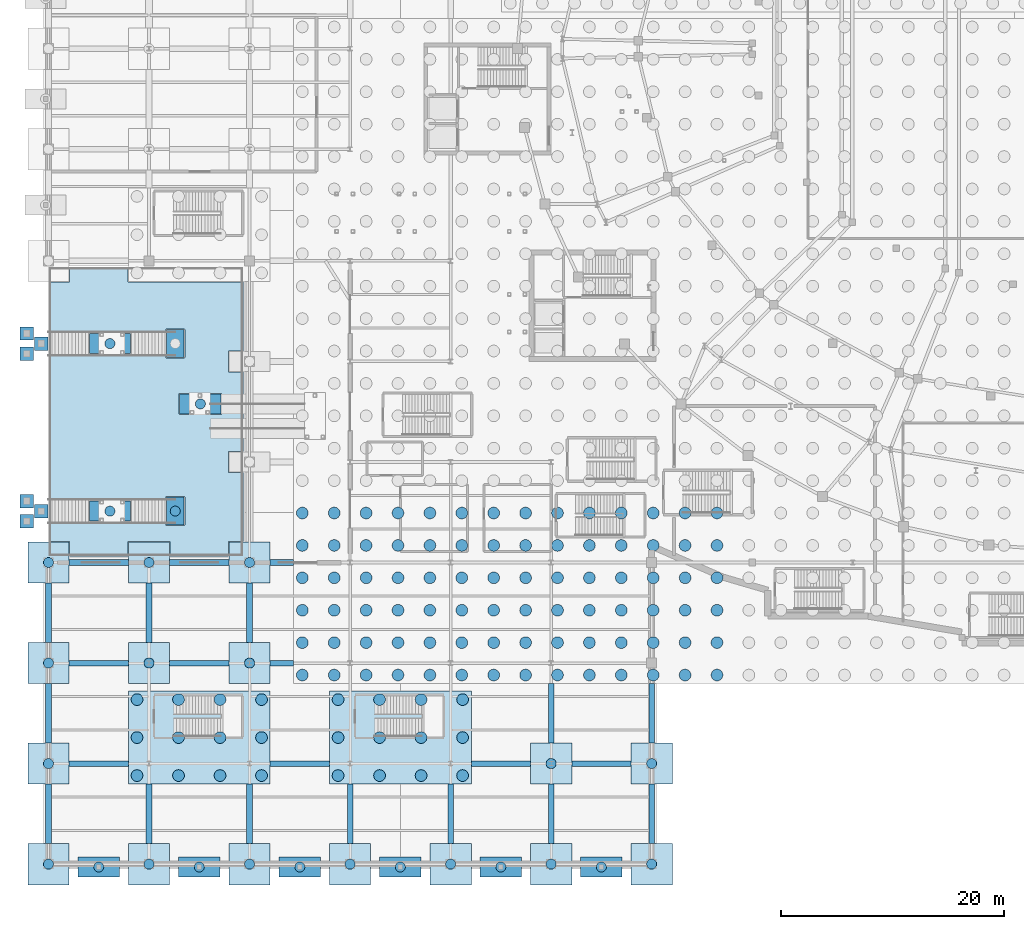
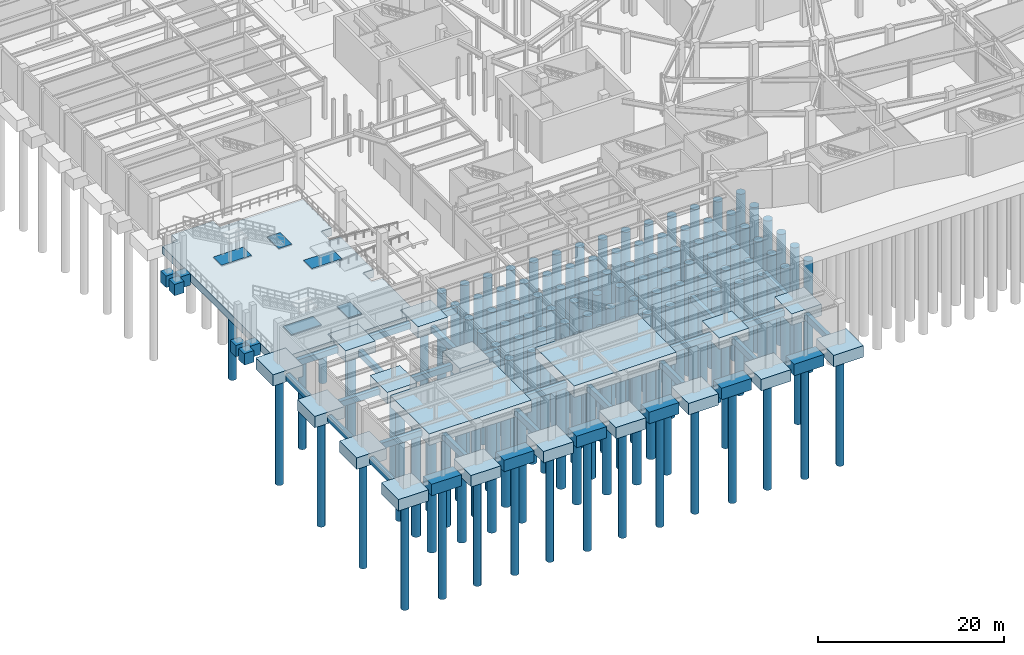
# One storey, part 1 of 56: 134 piles, 59 footings.
"""IFC4 building model written with IfcOpenShell, lengths in metres."""

from ifc_helpers import new_model, si_unit, direction, frame, origin, origin_2d, place, context, subcontext, project, spatial, polyline, rectangle, circle, outline, extrude, material, material_profile, profile_set, type_object, element, save


model = new_model("IFC4")

# Units and contexts
model_context = context("Model", 3, precision=1e-05, world=origin(), true_north=direction((0.0, 1.0)))
body_context = subcontext(model_context, "Body", "Model", "MODEL_VIEW")
ifc_project = project(units=[si_unit("LENGTHUNIT", "METRE"), si_unit("AREAUNIT", "SQUARE_METRE"), si_unit("VOLUMEUNIT", "CUBIC_METRE"), si_unit("PLANEANGLEUNIT", "RADIAN"), si_unit("MASSUNIT", "GRAM", prefix="KILO")], contexts=[model_context])

# Site, building, storey
site_placement = place(None, origin())
site = spatial("IfcSite", under=ifc_project, at=site_placement, CompositionType="ELEMENT")
building_placement = place(site_placement, origin())
building = spatial("IfcBuilding", under=site, at=building_placement, Name="Glasvene Arena", CompositionType="ELEMENT")
storey_placement = place(building_placement, frame((0.0, 0.0, -5.39990234375)))
storey = spatial("IfcBuildingStorey", under=building, at=storey_placement, Name="B1", CompositionType="ELEMENT", Elevation=-5.39990234375)

# Footings
ifc_material = material(Name="Concrete C40/50", Category="concrete")
footing_type_1 = type_object("IfcFootingType", Name="FT-FB-500x800", PredefinedType="FOOTING_BEAM", material=ifc_material)
for number, where, name in (
    (1, (0.0, 4.5, -1.25), "Ground tie beam 0001"),
    (2, (0.0, 13.5, -1.25), "Ground tie beam 0002"),
    (3, (0.0, 22.5, -1.25), "Ground tie beam 0003"),
    (4, (9.0, 4.5, -1.25), "Ground tie beam 0017"),
    (5, (9.0, 22.5, -1.25), "Ground tie beam 0018"),
    (6, (18.0, 4.5, -1.25), "Ground tie beam 0026"),
    (7, (18.0, 22.5, -1.25), "Ground tie beam 0027"),
    (8, (27.0, 4.5, -1.25), "Ground tie beam 0038"),
    (9, (36.0, 4.5, -1.25), "Ground tie beam 0044"),
    (10, (45.0, 4.5, -1.25), "Ground tie beam 0050"),
    (11, (45.0, 13.5, -1.25), "Ground tie beam 0051"),
    (12, (54.0, 4.5, -1.25), "Ground tie beam 0052"),
    (13, (54.0, 13.5, -1.25), "Ground tie beam 0053"),
):
    element("IfcFooting", number, at=place(storey_placement, frame(where)), inside=storey, type_object=footing_type_1, Name=name, PredefinedType="FOOTING_BEAM", context=body_context, shape_type="SweptSolid", body=[
        extrude(outline(polyline([(-0.25, -2.64990234375), (0.25, -2.64990234375), (0.25, 2.64990234375), (-0.25, 2.64990234375), (-0.25, -2.64990234375)])), origin(), (0.0, 0.0, 1.0), 0.7998046875),
    ])
for number, where, name in (
    (14, (4.5, 9.0, -1.25), "Ground tie beam 0080"),
    (15, (22.5, 9.0, -1.25), "Ground tie beam 0081"),
    (16, (40.5, 9.0, -1.25), "Ground tie beam 0082"),
    (17, (49.5, 9.0, -1.25), "Ground tie beam 0083"),
    (18, (4.5, 18.0, -1.25), "Ground tie beam 0084"),
    (19, (13.5, 18.0, -1.25), "Ground tie beam 0085"),
):
    element("IfcFooting", number, at=place(storey_placement, frame(where)), inside=storey, type_object=footing_type_1, Name=name, PredefinedType="FOOTING_BEAM", context=body_context, shape_type="SweptSolid", body=[
        extrude(outline(polyline([(-2.64990234375, -0.25), (2.64990234375, -0.25), (2.64990234375, 0.25), (-2.64990234375, 0.25), (-2.64990234375, -0.25)])), origin(), (0.0, 0.0, 1.0), 0.7998046875),
    ])
footing_1_placement = place(storey_placement, frame((20.89990234375, 18.0, -1.25)))
element("IfcFooting", 20, at=footing_1_placement, inside=storey, type_object=footing_type_1, Name="Ground tie beam 0086", PredefinedType="FOOTING_BEAM", context=body_context, shape_type="SweptSolid", body=[
    extrude(outline(polyline([(-1.0498046875, -0.25), (1.050048828125, -0.25), (1.050048828125, 0.25), (-1.0498046875, 0.25), (-1.0498046875, -0.25)])), origin(), (0.0, 0.0, 1.0), 0.7998046875),
])
for number, where, name in (
    (21, (4.5, 27.0, -1.25), "Ground tie beam 0087"),
    (22, (13.5, 27.0, -1.25), "Ground tie beam 0088"),
):
    element("IfcFooting", number, at=place(storey_placement, frame(where)), inside=storey, type_object=footing_type_1, Name=name, PredefinedType="FOOTING_BEAM", context=body_context, shape_type="SweptSolid", body=[
        extrude(outline(polyline([(-2.64990234375, -0.25), (2.64990234375, -0.25), (2.64990234375, 0.25), (-2.64990234375, 0.25), (-2.64990234375, -0.25)])), origin(), (0.0, 0.0, 1.0), 0.7998046875),
    ])
footing_2_placement = place(storey_placement, frame((20.89990234375, 27.0, -1.25)))
element("IfcFooting", 23, at=footing_2_placement, inside=storey, type_object=footing_type_1, Name="Ground tie beam 0089", PredefinedType="FOOTING_BEAM", context=body_context, shape_type="SweptSolid", body=[
    extrude(outline(polyline([(-1.0498046875, -0.25), (1.050048828125, -0.25), (1.050048828125, 0.25), (-1.0498046875, 0.25), (-1.0498046875, -0.25)])), origin(), (0.0, 0.0, 1.0), 0.7998046875),
])
footing_type_2 = type_object("IfcFootingType", Name="FT-PC-1270x835", PredefinedType="PILE_CAP", material=ifc_material)
for number, where, z_axis, x_axis, name in (
    (24, (13.5, 11.324951171875, -1.5), (0.0, 0.0, 1.0), (1.0, 0.0, 0.0), "Pile cap 015"),
    (25, (31.5, 11.324951171875, -1.5), (0.0, 0.0, 1.0), (1.0, 0.0, 0.0), "Pile cap 016"),
):
    element("IfcFooting", number, at=place(storey_placement, frame(where, z_axis=z_axis, x_axis=x_axis)), inside=storey, type_object=footing_type_2, Name=name, PredefinedType="PILE_CAP", context=body_context, shape_type="SweptSolid", body=[
        extrude(rectangle(XDim=12.699951171875, YDim=8.35009765625, at=origin_2d()), origin(), (0.0, 0.0, 1.0), 1.5),
    ])
footing_type_3 = type_object("IfcFootingType", Name="FT-PC-160x250", PredefinedType="PILE_CAP", material=ifc_material)
for number, where, z_axis, x_axis, name in (
    (26, (11.35009765625, 31.60009765625, -1.5), (0.0, 0.0, 1.0), (1.0, 0.0, 0.0), "Pile cap 027"),
    (27, (11.35009765625, 46.60009765625, -1.5), (0.0, 0.0, 1.0), (1.0, 0.0, 0.0), "Pile cap 032"),
):
    element("IfcFooting", number, at=place(storey_placement, frame(where, z_axis=z_axis, x_axis=x_axis)), inside=storey, type_object=footing_type_3, Name=name, PredefinedType="PILE_CAP", context=body_context, shape_type="SweptSolid", body=[
        extrude(rectangle(XDim=1.60009765625, YDim=2.5, at=origin_2d()), origin(), (0.0, 0.0, 1.0), 1.5),
    ])
footing_type_4 = type_object("IfcFootingType", Name="FT-PC-370x180", PredefinedType="PILE_CAP", material=ifc_material)
for number, where, z_axis, x_axis, name in (
    (28, (4.5, -0.260009765625, -1.5), (0.0, 0.0, 1.0), (1.0, 0.0, 0.0), "Pile cap 008"),
    (29, (13.5, -0.260009765625, -1.5), (0.0, 0.0, 1.0), (1.0, 0.0, 0.0), "Pile cap 009"),
    (30, (22.5, -0.260009765625, -1.5), (0.0, 0.0, 1.0), (1.0, 0.0, 0.0), "Pile cap 010"),
    (31, (31.5, -0.260009765625, -1.5), (0.0, 0.0, 1.0), (1.0, 0.0, 0.0), "Pile cap 011"),
    (32, (40.5, -0.260009765625, -1.5), (0.0, 0.0, 1.0), (1.0, 0.0, 0.0), "Pile cap 012"),
    (33, (49.5, -0.260009765625, -1.5), (0.0, 0.0, 1.0), (1.0, 0.0, 0.0), "Pile cap 013"),
    (34, (5.5, 31.60009765625, -1.5), (0.0, 0.0, 1.0), (1.0, 0.0, 0.0), "Pile cap 028"),
    (35, (13.60009765625, 41.199951171875, -1.5), (0.0, 0.0, 1.0), (1.0, 0.0, 0.0), "Pile cap 030"),
    (36, (5.5, 46.60009765625, -1.5), (0.0, 0.0, 1.0), (1.0, 0.0, 0.0), "Pile cap 033"),
):
    element("IfcFooting", number, at=place(storey_placement, frame(where, z_axis=z_axis, x_axis=x_axis)), inside=storey, type_object=footing_type_4, Name=name, PredefinedType="PILE_CAP", context=body_context, shape_type="SweptSolid", body=[
        extrude(rectangle(XDim=3.699951171875, YDim=1.800048828125, at=origin_2d()), origin(), (0.0, 0.0, 1.0), 1.5),
    ])
footing_type_5 = type_object("IfcFootingType", Name="FT-PC-370x370", PredefinedType="PILE_CAP", material=ifc_material)
for number, where, z_axis, x_axis, name in (
    (37, (0.0, 0.0, -1.5), (0.0, 0.0, 1.0), (1.0, 0.0, 0.0), "Pile cap 001"),
    (38, (9.0, 0.0, -1.5), (0.0, 0.0, 1.0), (1.0, 0.0, 0.0), "Pile cap 002"),
    (39, (18.0, 0.0, -1.5), (0.0, 0.0, 1.0), (1.0, 0.0, 0.0), "Pile cap 003"),
    (40, (27.0, 0.0, -1.5), (0.0, 0.0, 1.0), (1.0, 0.0, 0.0), "Pile cap 004"),
    (41, (36.0, 0.0, -1.5), (0.0, 0.0, 1.0), (1.0, 0.0, 0.0), "Pile cap 005"),
    (42, (45.0, 0.0, -1.5), (0.0, 0.0, 1.0), (1.0, 0.0, 0.0), "Pile cap 006"),
    (43, (54.0, 0.0, -1.5), (0.0, 0.0, 1.0), (1.0, 0.0, 0.0), "Pile cap 007"),
    (44, (0.0, 9.0, -1.5), (0.0, 0.0, 1.0), (1.0, 0.0, 0.0), "Pile cap 014"),
    (45, (45.0, 9.0, -1.5), (0.0, 0.0, 1.0), (1.0, 0.0, 0.0), "Pile cap 017"),
    (46, (54.0, 9.0, -1.5), (0.0, 0.0, 1.0), (1.0, 0.0, 0.0), "Pile cap 018"),
    (47, (0.0, 18.0, -1.5), (0.0, 0.0, 1.0), (1.0, 0.0, 0.0), "Pile cap 019"),
    (48, (9.0, 18.0, -1.5), (0.0, 0.0, 1.0), (1.0, 0.0, 0.0), "Pile cap 020"),
    (49, (18.0, 18.0, -1.5), (0.0, 0.0, 1.0), (1.0, 0.0, 0.0), "Pile cap 021"),
    (50, (0.0, 27.0, -1.5), (0.0, 0.0, 1.0), (1.0, 0.0, 0.0), "Pile cap 024"),
    (51, (9.0, 27.0, -1.5), (0.0, 0.0, 1.0), (1.0, 0.0, 0.0), "Pile cap 025"),
    (52, (18.0, 27.0, -1.5), (0.0, 0.0, 1.0), (1.0, 0.0, 0.0), "Pile cap 026"),
):
    element("IfcFooting", number, at=place(storey_placement, frame(where, z_axis=z_axis, x_axis=x_axis)), inside=storey, type_object=footing_type_5, Name=name, PredefinedType="PILE_CAP", context=body_context, shape_type="SweptSolid", body=[
        extrude(rectangle(XDim=3.699951171875, YDim=3.699951171875, at=origin_2d()), origin(), (0.0, 0.0, 1.0), 1.5),
    ])
footing_type_6 = type_object("IfcFootingType", Name="PF-PAD-1200", PredefinedType="PAD_FOOTING", material=ifc_material)
for number, where, z_axis, x_axis, name in (
    (53, (-1.949951171875, 30.699951171875, -1.5), (0.0, 0.0, 1.0), (1.0, 0.0, 0.0), "Metro threshold pier footing 1"),
    (54, (-1.949951171875, 32.5, -1.5), (0.0, 0.0, 1.0), (1.0, 0.0, 0.0), "Metro threshold pier footing 1"),
    (55, (-0.64990234375, 31.60009765625, -1.5), (0.0, 0.0, 1.0), (1.0, 0.0, 0.0), "Metro threshold pier footing 1"),
    (56, (-1.949951171875, 45.699951171875, -1.5), (0.0, 0.0, 1.0), (1.0, 0.0, 0.0), "Metro threshold pier footing 2"),
    (57, (-1.949951171875, 47.5, -1.5), (0.0, 0.0, 1.0), (1.0, 0.0, 0.0), "Metro threshold pier footing 2"),
    (58, (-0.64990234375, 46.60009765625, -1.5), (0.0, 0.0, 1.0), (1.0, 0.0, 0.0), "Metro threshold pier footing 2"),
):
    element("IfcFooting", number, at=place(storey_placement, frame(where, z_axis=z_axis, x_axis=x_axis)), inside=storey, type_object=footing_type_6, Name=name, PredefinedType="PAD_FOOTING", context=body_context, shape_type="SweptSolid", body=[
        extrude(rectangle(XDim=1.199951171875, YDim=1.199951171875, at=origin_2d()), origin(), (0.0, 0.0, 1.0), 1.5),
    ])
footing_type_7 = type_object("IfcFootingType", Name="PF-RAFT-METRO", PredefinedType="PAD_FOOTING", material=ifc_material)
footing_3_placement = place(storey_placement, frame((10.89208984375, 38.27978515625, -1.10009765625)))
element("IfcFooting", 59, at=footing_3_placement, inside=storey, type_object=footing_type_7, Name="Metro forecourt plaza raft foundation TR-B1-METRO", PredefinedType="PAD_FOOTING", context=body_context, shape_type="SweptSolid", body=[
    extrude(outline(polyline([(-3.7919921875, 15.170166015625), (-3.7919921875, 13.8701171875), (-3.788330078125, 13.85107421875), (-3.777587890625, 13.834716796875), (-3.76123046875, 13.823974609375), (-3.7421875, 13.8203125), (6.557861328125, 13.8203125), (6.557861328125, 7.670166015625), (5.2578125, 7.670166015625), (5.23876953125, 7.66650390625), (5.222412109375, 7.655517578125), (5.211669921875, 7.639404296875), (5.2080078125, 7.6201171875), (5.2080078125, 5.8203125), (5.211669921875, 5.801025390625), (5.222412109375, 5.784912109375), (5.23876953125, 5.77392578125), (5.2578125, 5.770263671875), (6.557861328125, 5.770263671875), (6.557861328125, -1.329833984375), (5.2578125, -1.329833984375), (5.23876953125, -1.33349609375), (5.222412109375, -1.344482421875), (5.211669921875, -1.360595703125), (5.2080078125, -1.3798828125), (5.2080078125, -3.1796875), (5.211669921875, -3.198974609375), (5.222412109375, -3.215087890625), (5.23876953125, -3.22607421875), (5.2578125, -3.229736328125), (6.557861328125, -3.229736328125), (6.557861328125, -9.3798828125), (5.2578125, -9.3798828125), (5.23876953125, -9.383544921875), (5.222412109375, -9.394287109375), (5.211669921875, -9.41064453125), (5.2080078125, -9.4296875), (5.2080078125, -10.729736328125), (0.0078125, -10.729736328125), (0.0078125, -9.4296875), (0.004150390625, -9.41064453125), (-0.006591796875, -9.394287109375), (-0.02294921875, -9.383544921875), (-0.0419921875, -9.3798828125), (-3.7421875, -9.3798828125), (-3.76123046875, -9.383544921875), (-3.777587890625, -9.394287109375), (-3.788330078125, -9.41064453125), (-3.7919921875, -9.4296875), (-3.7919921875, -10.729736328125), (-8.9921875, -10.729736328125), (-8.9921875, -9.4296875), (-8.995849609375, -9.41064453125), (-9.006591796875, -9.394287109375), (-9.02294921875, -9.383544921875), (-9.0419921875, -9.3798828125), (-10.89208984375, -9.3798828125), (-10.89208984375, 13.8203125), (-9.0419921875, 13.8203125), (-9.02294921875, 13.823974609375), (-9.006591796875, 13.834716796875), (-8.995849609375, 13.85107421875), (-8.9921875, 13.8701171875), (-8.9921875, 15.170166015625), (-3.7919921875, 15.170166015625)]), holes=[polyline([(0.85791015625, 3.8701171875), (0.8388671875, 3.866455078125), (0.822509765625, 3.855712890625), (0.811767578125, 3.83935546875), (0.807861328125, 3.8203125), (0.807861328125, 2.020263671875), (0.811767578125, 2.001220703125), (0.822509765625, 1.98486328125), (0.8388671875, 1.97412109375), (0.85791015625, 1.97021484375), (4.557861328125, 1.97021484375), (4.576904296875, 1.97412109375), (4.59326171875, 1.98486328125), (4.60400390625, 2.001220703125), (4.60791015625, 2.020263671875), (4.60791015625, 3.8203125), (4.60400390625, 3.83935546875), (4.59326171875, 3.855712890625), (4.576904296875, 3.866455078125), (4.557861328125, 3.8701171875), (0.85791015625, 3.8701171875)]), polyline([(-0.342041015625, -5.3798828125), (-0.361083984375, -5.383544921875), (-0.37744140625, -5.394287109375), (-0.38818359375, -5.41064453125), (-0.39208984375, -5.4296875), (-0.39208984375, -7.9296875), (-0.38818359375, -7.948974609375), (-0.37744140625, -7.965087890625), (-0.361083984375, -7.97607421875), (-0.342041015625, -7.979736328125), (1.2578125, -7.979736328125), (1.277099609375, -7.97607421875), (1.293212890625, -7.965087890625), (1.30419921875, -7.948974609375), (1.307861328125, -7.9296875), (1.307861328125, -5.4296875), (1.30419921875, -5.41064453125), (1.293212890625, -5.394287109375), (1.277099609375, -5.383544921875), (1.2578125, -5.3798828125), (-0.342041015625, -5.3798828125)]), polyline([(-0.39208984375, 7.0703125), (-0.38818359375, 7.051025390625), (-0.37744140625, 7.034912109375), (-0.361083984375, 7.02392578125), (-0.342041015625, 7.020263671875), (1.2578125, 7.020263671875), (1.277099609375, 7.02392578125), (1.293212890625, 7.034912109375), (1.30419921875, 7.051025390625), (1.307861328125, 7.0703125), (1.307861328125, 9.5703125), (1.30419921875, 9.58935546875), (1.293212890625, 9.605712890625), (1.277099609375, 9.616455078125), (1.2578125, 9.6201171875), (-0.342041015625, 9.6201171875), (-0.361083984375, 9.616455078125), (-0.37744140625, 9.605712890625), (-0.38818359375, 9.58935546875), (-0.39208984375, 9.5703125), (-0.39208984375, 7.0703125)]), polyline([(-7.2421875, -5.729736328125), (-7.26123046875, -5.733642578125), (-7.277587890625, -5.744384765625), (-7.288330078125, -5.7607421875), (-7.2919921875, -5.77978515625), (-7.2919921875, -7.579833984375), (-7.288330078125, -7.598876953125), (-7.277587890625, -7.615234375), (-7.26123046875, -7.6259765625), (-7.2421875, -7.6298828125), (-3.5419921875, -7.6298828125), (-3.52294921875, -7.6259765625), (-3.506591796875, -7.615234375), (-3.495849609375, -7.598876953125), (-3.4921875, -7.579833984375), (-3.4921875, -5.77978515625), (-3.495849609375, -5.7607421875), (-3.506591796875, -5.744384765625), (-3.52294921875, -5.733642578125), (-3.5419921875, -5.729736328125), (-7.2421875, -5.729736328125)]), polyline([(-7.2919921875, 7.420166015625), (-7.288330078125, 7.401123046875), (-7.277587890625, 7.384765625), (-7.26123046875, 7.3740234375), (-7.2421875, 7.3701171875), (-3.5419921875, 7.3701171875), (-3.52294921875, 7.3740234375), (-3.506591796875, 7.384765625), (-3.495849609375, 7.401123046875), (-3.4921875, 7.420166015625), (-3.4921875, 9.22021484375), (-3.495849609375, 9.2392578125), (-3.506591796875, 9.255615234375), (-3.52294921875, 9.266357421875), (-3.5419921875, 9.270263671875), (-7.2421875, 9.270263671875), (-7.26123046875, 9.266357421875), (-7.277587890625, 9.255615234375), (-7.288330078125, 9.2392578125), (-7.2919921875, 9.22021484375), (-7.2919921875, 7.420166015625)])]), origin(), (0.0, 0.0, 1.0), 1.0),
])

# Piles
ifc_material_profile_1 = material_profile(ifc_material, circle(Radius=0.52490234375, at=origin_2d()), Name="BORED PILE 1050")
ifc_profile_set_1 = profile_set([ifc_material_profile_1], Name="Concrete C40/50")
pile_type_1 = type_object("IfcPileType", Name="PL-BP1050", PredefinedType="BORED", material=ifc_profile_set_1)
for number, where, z_axis, x_axis, name in (
    (60, (7.925048828125, 7.925048828125, -1.35009765625), (0.0, 0.0, -1.0), (1.0, 0.0, 0.0), "Bored pile 0015"),
    (61, (7.925048828125, 11.324951171875, -1.35009765625), (0.0, 0.0, -1.0), (1.0, 0.0, 0.0), "Bored pile 0016"),
    (62, (7.925048828125, 14.72509765625, -1.35009765625), (0.0, 0.0, -1.0), (1.0, 0.0, 0.0), "Bored pile 0017"),
    (63, (11.6416015625, 7.925048828125, -1.35009765625), (0.0, 0.0, -1.0), (1.0, 0.0, 0.0), "Bored pile 0018"),
    (64, (11.6416015625, 11.324951171875, -1.35009765625), (0.0, 0.0, -1.0), (1.0, 0.0, 0.0), "Bored pile 0019"),
    (65, (11.6416015625, 14.72509765625, -1.35009765625), (0.0, 0.0, -1.0), (1.0, 0.0, 0.0), "Bored pile 0020"),
    (66, (15.3583984375, 7.925048828125, -1.35009765625), (0.0, 0.0, -1.0), (1.0, 0.0, 0.0), "Bored pile 0021"),
    (67, (15.3583984375, 11.324951171875, -1.35009765625), (0.0, 0.0, -1.0), (1.0, 0.0, 0.0), "Bored pile 0022"),
    (68, (15.3583984375, 14.72509765625, -1.35009765625), (0.0, 0.0, -1.0), (1.0, 0.0, 0.0), "Bored pile 0023"),
    (69, (19.074951171875, 7.925048828125, -1.35009765625), (0.0, 0.0, -1.0), (1.0, 0.0, 0.0), "Bored pile 0024"),
    (70, (19.074951171875, 11.324951171875, -1.35009765625), (0.0, 0.0, -1.0), (1.0, 0.0, 0.0), "Bored pile 0025"),
    (71, (19.074951171875, 14.72509765625, -1.35009765625), (0.0, 0.0, -1.0), (1.0, 0.0, 0.0), "Bored pile 0026"),
    (72, (25.925048828125, 7.925048828125, -1.35009765625), (0.0, 0.0, -1.0), (1.0, 0.0, 0.0), "Bored pile 0027"),
    (73, (25.925048828125, 11.324951171875, -1.35009765625), (0.0, 0.0, -1.0), (1.0, 0.0, 0.0), "Bored pile 0028"),
    (74, (25.925048828125, 14.72509765625, -1.35009765625), (0.0, 0.0, -1.0), (1.0, 0.0, 0.0), "Bored pile 0029"),
    (75, (29.6416015625, 7.925048828125, -1.35009765625), (0.0, 0.0, -1.0), (1.0, 0.0, 0.0), "Bored pile 0030"),
    (76, (29.6416015625, 11.324951171875, -1.35009765625), (0.0, 0.0, -1.0), (1.0, 0.0, 0.0), "Bored pile 0031"),
    (77, (29.6416015625, 14.72509765625, -1.35009765625), (0.0, 0.0, -1.0), (1.0, 0.0, 0.0), "Bored pile 0032"),
    (78, (33.3583984375, 7.925048828125, -1.35009765625), (0.0, 0.0, -1.0), (1.0, 0.0, 0.0), "Bored pile 0033"),
    (79, (33.3583984375, 11.324951171875, -1.35009765625), (0.0, 0.0, -1.0), (1.0, 0.0, 0.0), "Bored pile 0034"),
    (80, (33.3583984375, 14.72509765625, -1.35009765625), (0.0, 0.0, -1.0), (1.0, 0.0, 0.0), "Bored pile 0035"),
    (81, (37.074951171875, 7.925048828125, -1.35009765625), (0.0, 0.0, -1.0), (1.0, 0.0, 0.0), "Bored pile 0036"),
    (82, (37.074951171875, 11.324951171875, -1.35009765625), (0.0, 0.0, -1.0), (1.0, 0.0, 0.0), "Bored pile 0037"),
    (83, (37.074951171875, 14.72509765625, -1.35009765625), (0.0, 0.0, -1.0), (1.0, 0.0, 0.0), "Bored pile 0038"),
    (84, (22.72509765625, 16.925048828125, -1.35009765625), (0.0, 0.0, -1.0), (1.0, 0.0, 0.0), "Bored pile 0044"),
    (85, (22.72509765625, 19.826171875, -1.35009765625), (0.0, 0.0, -1.0), (1.0, 0.0, 0.0), "Bored pile 0045"),
    (86, (22.72509765625, 22.727294921875, -1.35009765625), (0.0, 0.0, -1.0), (1.0, 0.0, 0.0), "Bored pile 0046"),
    (87, (22.72509765625, 25.628662109375, -1.35009765625), (0.0, 0.0, -1.0), (1.0, 0.0, 0.0), "Bored pile 0047"),
    (88, (22.72509765625, 28.52978515625, -1.35009765625), (0.0, 0.0, -1.0), (1.0, 0.0, 0.0), "Bored pile 0048"),
    (89, (22.72509765625, 31.430908203125, -1.35009765625), (0.0, 0.0, -1.0), (1.0, 0.0, 0.0), "Bored pile 0049"),
    (90, (25.580810546875, 16.925048828125, -1.35009765625), (0.0, 0.0, -1.0), (1.0, 0.0, 0.0), "Bored pile 0065"),
    (91, (25.580810546875, 19.826171875, -1.35009765625), (0.0, 0.0, -1.0), (1.0, 0.0, 0.0), "Bored pile 0066"),
    (92, (25.580810546875, 22.727294921875, -1.35009765625), (0.0, 0.0, -1.0), (1.0, 0.0, 0.0), "Bored pile 0067"),
    (93, (25.580810546875, 25.628662109375, -1.35009765625), (0.0, 0.0, -1.0), (1.0, 0.0, 0.0), "Bored pile 0068"),
    (94, (25.580810546875, 28.52978515625, -1.35009765625), (0.0, 0.0, -1.0), (1.0, 0.0, 0.0), "Bored pile 0069"),
    (95, (25.580810546875, 31.430908203125, -1.35009765625), (0.0, 0.0, -1.0), (1.0, 0.0, 0.0), "Bored pile 0070"),
    (96, (28.4365234375, 16.925048828125, -1.35009765625), (0.0, 0.0, -1.0), (1.0, 0.0, 0.0), "Bored pile 0086"),
    (97, (28.4365234375, 19.826171875, -1.35009765625), (0.0, 0.0, -1.0), (1.0, 0.0, 0.0), "Bored pile 0087"),
    (98, (28.4365234375, 22.727294921875, -1.35009765625), (0.0, 0.0, -1.0), (1.0, 0.0, 0.0), "Bored pile 0088"),
    (99, (28.4365234375, 25.628662109375, -1.35009765625), (0.0, 0.0, -1.0), (1.0, 0.0, 0.0), "Bored pile 0089"),
    (100, (28.4365234375, 28.52978515625, -1.35009765625), (0.0, 0.0, -1.0), (1.0, 0.0, 0.0), "Bored pile 0090"),
    (101, (28.4365234375, 31.430908203125, -1.35009765625), (0.0, 0.0, -1.0), (1.0, 0.0, 0.0), "Bored pile 0091"),
    (102, (31.292236328125, 16.925048828125, -1.35009765625), (0.0, 0.0, -1.0), (1.0, 0.0, 0.0), "Bored pile 0107"),
    (103, (31.292236328125, 19.826171875, -1.35009765625), (0.0, 0.0, -1.0), (1.0, 0.0, 0.0), "Bored pile 0108"),
    (104, (31.292236328125, 22.727294921875, -1.35009765625), (0.0, 0.0, -1.0), (1.0, 0.0, 0.0), "Bored pile 0109"),
    (105, (31.292236328125, 25.628662109375, -1.35009765625), (0.0, 0.0, -1.0), (1.0, 0.0, 0.0), "Bored pile 0110"),
    (106, (31.292236328125, 28.52978515625, -1.35009765625), (0.0, 0.0, -1.0), (1.0, 0.0, 0.0), "Bored pile 0111"),
    (107, (31.292236328125, 31.430908203125, -1.35009765625), (0.0, 0.0, -1.0), (1.0, 0.0, 0.0), "Bored pile 0112"),
    (108, (34.14794921875, 16.925048828125, -1.35009765625), (0.0, 0.0, -1.0), (1.0, 0.0, 0.0), "Bored pile 0128"),
    (109, (34.14794921875, 19.826171875, -1.35009765625), (0.0, 0.0, -1.0), (1.0, 0.0, 0.0), "Bored pile 0129"),
    (110, (34.14794921875, 22.727294921875, -1.35009765625), (0.0, 0.0, -1.0), (1.0, 0.0, 0.0), "Bored pile 0130"),
    (111, (34.14794921875, 25.628662109375, -1.35009765625), (0.0, 0.0, -1.0), (1.0, 0.0, 0.0), "Bored pile 0131"),
    (112, (34.14794921875, 28.52978515625, -1.35009765625), (0.0, 0.0, -1.0), (1.0, 0.0, 0.0), "Bored pile 0132"),
    (113, (34.14794921875, 31.430908203125, -1.35009765625), (0.0, 0.0, -1.0), (1.0, 0.0, 0.0), "Bored pile 0133"),
    (114, (37.00390625, 16.925048828125, -1.35009765625), (0.0, 0.0, -1.0), (1.0, 0.0, 0.0), "Bored pile 0149"),
    (115, (37.00390625, 19.826171875, -1.35009765625), (0.0, 0.0, -1.0), (1.0, 0.0, 0.0), "Bored pile 0150"),
    (116, (37.00390625, 22.727294921875, -1.35009765625), (0.0, 0.0, -1.0), (1.0, 0.0, 0.0), "Bored pile 0151"),
    (117, (37.00390625, 25.628662109375, -1.35009765625), (0.0, 0.0, -1.0), (1.0, 0.0, 0.0), "Bored pile 0152"),
    (118, (37.00390625, 28.52978515625, -1.35009765625), (0.0, 0.0, -1.0), (1.0, 0.0, 0.0), "Bored pile 0153"),
    (119, (37.00390625, 31.430908203125, -1.35009765625), (0.0, 0.0, -1.0), (1.0, 0.0, 0.0), "Bored pile 0154"),
    (120, (39.859619140625, 16.925048828125, -1.35009765625), (0.0, 0.0, -1.0), (1.0, 0.0, 0.0), "Bored pile 0170"),
    (121, (39.859619140625, 19.826171875, -1.35009765625), (0.0, 0.0, -1.0), (1.0, 0.0, 0.0), "Bored pile 0171"),
    (122, (39.859619140625, 22.727294921875, -1.35009765625), (0.0, 0.0, -1.0), (1.0, 0.0, 0.0), "Bored pile 0172"),
    (123, (39.859619140625, 25.628662109375, -1.35009765625), (0.0, 0.0, -1.0), (1.0, 0.0, 0.0), "Bored pile 0173"),
    (124, (39.859619140625, 28.52978515625, -1.35009765625), (0.0, 0.0, -1.0), (1.0, 0.0, 0.0), "Bored pile 0174"),
    (125, (39.859619140625, 31.430908203125, -1.35009765625), (0.0, 0.0, -1.0), (1.0, 0.0, 0.0), "Bored pile 0175"),
    (126, (42.71533203125, 16.925048828125, -1.35009765625), (0.0, 0.0, -1.0), (1.0, 0.0, 0.0), "Bored pile 0191"),
    (127, (42.71533203125, 19.826171875, -1.35009765625), (0.0, 0.0, -1.0), (1.0, 0.0, 0.0), "Bored pile 0192"),
    (128, (42.71533203125, 22.727294921875, -1.35009765625), (0.0, 0.0, -1.0), (1.0, 0.0, 0.0), "Bored pile 0193"),
    (129, (42.71533203125, 25.628662109375, -1.35009765625), (0.0, 0.0, -1.0), (1.0, 0.0, 0.0), "Bored pile 0194"),
    (130, (42.71533203125, 28.52978515625, -1.35009765625), (0.0, 0.0, -1.0), (1.0, 0.0, 0.0), "Bored pile 0195"),
    (131, (42.71533203125, 31.430908203125, -1.35009765625), (0.0, 0.0, -1.0), (1.0, 0.0, 0.0), "Bored pile 0196"),
    (132, (45.571044921875, 16.925048828125, -1.35009765625), (0.0, 0.0, -1.0), (1.0, 0.0, 0.0), "Bored pile 0212"),
    (133, (45.571044921875, 19.826171875, -1.35009765625), (0.0, 0.0, -1.0), (1.0, 0.0, 0.0), "Bored pile 0213"),
    (134, (45.571044921875, 22.727294921875, -1.35009765625), (0.0, 0.0, -1.0), (1.0, 0.0, 0.0), "Bored pile 0214"),
    (135, (45.571044921875, 25.628662109375, -1.35009765625), (0.0, 0.0, -1.0), (1.0, 0.0, 0.0), "Bored pile 0215"),
    (136, (45.571044921875, 28.52978515625, -1.35009765625), (0.0, 0.0, -1.0), (1.0, 0.0, 0.0), "Bored pile 0216"),
    (137, (45.571044921875, 31.430908203125, -1.35009765625), (0.0, 0.0, -1.0), (1.0, 0.0, 0.0), "Bored pile 0217"),
    (138, (48.4267578125, 16.925048828125, -1.35009765625), (0.0, 0.0, -1.0), (1.0, 0.0, 0.0), "Bored pile 0233"),
    (139, (48.4267578125, 19.826171875, -1.35009765625), (0.0, 0.0, -1.0), (1.0, 0.0, 0.0), "Bored pile 0234"),
    (140, (48.4267578125, 22.727294921875, -1.35009765625), (0.0, 0.0, -1.0), (1.0, 0.0, 0.0), "Bored pile 0235"),
    (141, (48.4267578125, 25.628662109375, -1.35009765625), (0.0, 0.0, -1.0), (1.0, 0.0, 0.0), "Bored pile 0236"),
    (142, (48.4267578125, 28.52978515625, -1.35009765625), (0.0, 0.0, -1.0), (1.0, 0.0, 0.0), "Bored pile 0237"),
    (143, (48.4267578125, 31.430908203125, -1.35009765625), (0.0, 0.0, -1.0), (1.0, 0.0, 0.0), "Bored pile 0238"),
    (144, (51.28271484375, 16.925048828125, -1.35009765625), (0.0, 0.0, -1.0), (1.0, 0.0, 0.0), "Bored pile 0254"),
    (145, (51.28271484375, 19.826171875, -1.35009765625), (0.0, 0.0, -1.0), (1.0, 0.0, 0.0), "Bored pile 0255"),
    (146, (51.28271484375, 22.727294921875, -1.35009765625), (0.0, 0.0, -1.0), (1.0, 0.0, 0.0), "Bored pile 0256"),
    (147, (51.28271484375, 25.628662109375, -1.35009765625), (0.0, 0.0, -1.0), (1.0, 0.0, 0.0), "Bored pile 0257"),
    (148, (51.28271484375, 28.52978515625, -1.35009765625), (0.0, 0.0, -1.0), (1.0, 0.0, 0.0), "Bored pile 0258"),
    (149, (51.28271484375, 31.430908203125, -1.35009765625), (0.0, 0.0, -1.0), (1.0, 0.0, 0.0), "Bored pile 0259"),
    (150, (54.138427734375, 16.925048828125, -1.35009765625), (0.0, 0.0, -1.0), (1.0, 0.0, 0.0), "Bored pile 0275"),
    (151, (54.138427734375, 19.826171875, -1.35009765625), (0.0, 0.0, -1.0), (1.0, 0.0, 0.0), "Bored pile 0276"),
    (152, (54.138427734375, 22.727294921875, -1.35009765625), (0.0, 0.0, -1.0), (1.0, 0.0, 0.0), "Bored pile 0277"),
    (153, (54.138427734375, 25.628662109375, -1.35009765625), (0.0, 0.0, -1.0), (1.0, 0.0, 0.0), "Bored pile 0278"),
    (154, (54.138427734375, 28.52978515625, -1.35009765625), (0.0, 0.0, -1.0), (1.0, 0.0, 0.0), "Bored pile 0279"),
    (155, (54.138427734375, 31.430908203125, -1.35009765625), (0.0, 0.0, -1.0), (1.0, 0.0, 0.0), "Bored pile 0280"),
    (156, (56.994140625, 16.925048828125, -1.35009765625), (0.0, 0.0, -1.0), (1.0, 0.0, 0.0), "Bored pile 0296"),
    (157, (56.994140625, 19.826171875, -1.35009765625), (0.0, 0.0, -1.0), (1.0, 0.0, 0.0), "Bored pile 0297"),
    (158, (56.994140625, 22.727294921875, -1.35009765625), (0.0, 0.0, -1.0), (1.0, 0.0, 0.0), "Bored pile 0298"),
    (159, (56.994140625, 25.628662109375, -1.35009765625), (0.0, 0.0, -1.0), (1.0, 0.0, 0.0), "Bored pile 0299"),
    (160, (56.994140625, 28.52978515625, -1.35009765625), (0.0, 0.0, -1.0), (1.0, 0.0, 0.0), "Bored pile 0300"),
    (161, (56.994140625, 31.430908203125, -1.35009765625), (0.0, 0.0, -1.0), (1.0, 0.0, 0.0), "Bored pile 0301"),
    (162, (59.849853515625, 16.925048828125, -1.35009765625), (0.0, 0.0, -1.0), (1.0, 0.0, 0.0), "Bored pile 0317"),
    (163, (59.849853515625, 19.826171875, -1.35009765625), (0.0, 0.0, -1.0), (1.0, 0.0, 0.0), "Bored pile 0318"),
    (164, (59.849853515625, 22.727294921875, -1.35009765625), (0.0, 0.0, -1.0), (1.0, 0.0, 0.0), "Bored pile 0319"),
    (165, (59.849853515625, 25.628662109375, -1.35009765625), (0.0, 0.0, -1.0), (1.0, 0.0, 0.0), "Bored pile 0320"),
    (166, (59.849853515625, 28.52978515625, -1.35009765625), (0.0, 0.0, -1.0), (1.0, 0.0, 0.0), "Bored pile 0321"),
    (167, (59.849853515625, 31.430908203125, -1.35009765625), (0.0, 0.0, -1.0), (1.0, 0.0, 0.0), "Bored pile 0322"),
):
    element("IfcPile", number, at=place(storey_placement, frame(where, z_axis=z_axis, x_axis=x_axis)), inside=storey, type_object=pile_type_1, Name=name, PredefinedType="BORED", context=body_context, shape_type="SweptSolid", body=[
        extrude(circle(Radius=0.52490234375, at=origin_2d()), origin(), (0.0, 0.0, 1.0), 14.64990234375),
    ])
ifc_material_profile_2 = material_profile(ifc_material, circle(Radius=0.449951171875, at=origin_2d()), Name="BORED PILE 900")
ifc_profile_set_2 = profile_set([ifc_material_profile_2], Name="Concrete C40/50")
pile_type_2 = type_object("IfcPileType", Name="PL-BP900", PredefinedType="BORED", material=ifc_profile_set_2)
for number, where, z_axis, x_axis, name in (
    (168, (0.0, 0.0, -1.35009765625), (0.0, 0.0, -1.0), (1.0, 0.0, 0.0), "Bored pile 0001"),
    (169, (9.0, 0.0, -1.35009765625), (0.0, 0.0, -1.0), (1.0, 0.0, 0.0), "Bored pile 0002"),
    (170, (18.0, 0.0, -1.35009765625), (0.0, 0.0, -1.0), (1.0, 0.0, 0.0), "Bored pile 0003"),
    (171, (27.0, 0.0, -1.35009765625), (0.0, 0.0, -1.0), (1.0, 0.0, 0.0), "Bored pile 0004"),
    (172, (36.0, 0.0, -1.35009765625), (0.0, 0.0, -1.0), (1.0, 0.0, 0.0), "Bored pile 0005"),
    (173, (45.0, 0.0, -1.35009765625), (0.0, 0.0, -1.0), (1.0, 0.0, 0.0), "Bored pile 0006"),
    (174, (54.0, 0.0, -1.35009765625), (0.0, 0.0, -1.0), (1.0, 0.0, 0.0), "Bored pile 0007"),
    (175, (4.5, -0.260009765625, -1.35009765625), (0.0, 0.0, -1.0), (1.0, 0.0, 0.0), "Bored pile 0008"),
    (176, (13.5, -0.260009765625, -1.35009765625), (0.0, 0.0, -1.0), (1.0, 0.0, 0.0), "Bored pile 0009"),
    (177, (22.5, -0.260009765625, -1.35009765625), (0.0, 0.0, -1.0), (1.0, 0.0, 0.0), "Bored pile 0010"),
    (178, (31.5, -0.260009765625, -1.35009765625), (0.0, 0.0, -1.0), (1.0, 0.0, 0.0), "Bored pile 0011"),
    (179, (40.5, -0.260009765625, -1.35009765625), (0.0, 0.0, -1.0), (1.0, 0.0, 0.0), "Bored pile 0012"),
    (180, (49.5, -0.260009765625, -1.35009765625), (0.0, 0.0, -1.0), (1.0, 0.0, 0.0), "Bored pile 0013"),
    (181, (0.0, 9.0, -1.35009765625), (0.0, 0.0, -1.0), (1.0, 0.0, 0.0), "Bored pile 0014"),
    (182, (45.0, 9.0, -1.35009765625), (0.0, 0.0, -1.0), (1.0, 0.0, 0.0), "Bored pile 0039"),
    (183, (54.0, 9.0, -1.35009765625), (0.0, 0.0, -1.0), (1.0, 0.0, 0.0), "Bored pile 0040"),
    (184, (0.0, 18.0, -1.35009765625), (0.0, 0.0, -1.0), (1.0, 0.0, 0.0), "Bored pile 0041"),
    (185, (9.0, 18.0, -1.35009765625), (0.0, 0.0, -1.0), (1.0, 0.0, 0.0), "Bored pile 0042"),
    (186, (18.0, 18.0, -1.35009765625), (0.0, 0.0, -1.0), (1.0, 0.0, 0.0), "Bored pile 0043"),
    (187, (0.0, 27.0, -1.35009765625), (0.0, 0.0, -1.0), (1.0, 0.0, 0.0), "Bored pile 1050"),
    (188, (9.0, 27.0, -1.35009765625), (0.0, 0.0, -1.0), (1.0, 0.0, 0.0), "Bored pile 1051"),
    (189, (18.0, 27.0, -1.35009765625), (0.0, 0.0, -1.0), (1.0, 0.0, 0.0), "Bored pile 1052"),
    (190, (11.35009765625, 31.60009765625, -1.35009765625), (0.0, 0.0, -1.0), (1.0, 0.0, 0.0), "Bored pile 1053"),
    (191, (5.5, 31.60009765625, -1.35009765625), (0.0, 0.0, -1.0), (1.0, 0.0, 0.0), "Bored pile 1054"),
    (192, (13.60009765625, 41.199951171875, -1.35009765625), (0.0, 0.0, -1.0), (1.0, 0.0, 0.0), "Bored pile 1056"),
    (193, (5.5, 46.60009765625, -1.35009765625), (0.0, 0.0, -1.0), (1.0, 0.0, 0.0), "Bored pile 1059"),
):
    element("IfcPile", number, at=place(storey_placement, frame(where, z_axis=z_axis, x_axis=x_axis)), inside=storey, type_object=pile_type_2, Name=name, PredefinedType="BORED", context=body_context, shape_type="SweptSolid", body=[
        extrude(circle(Radius=0.449951171875, at=origin_2d()), origin(), (0.0, 0.0, 1.0), 14.64990234375),
    ])

save(model, "model.ifc")
